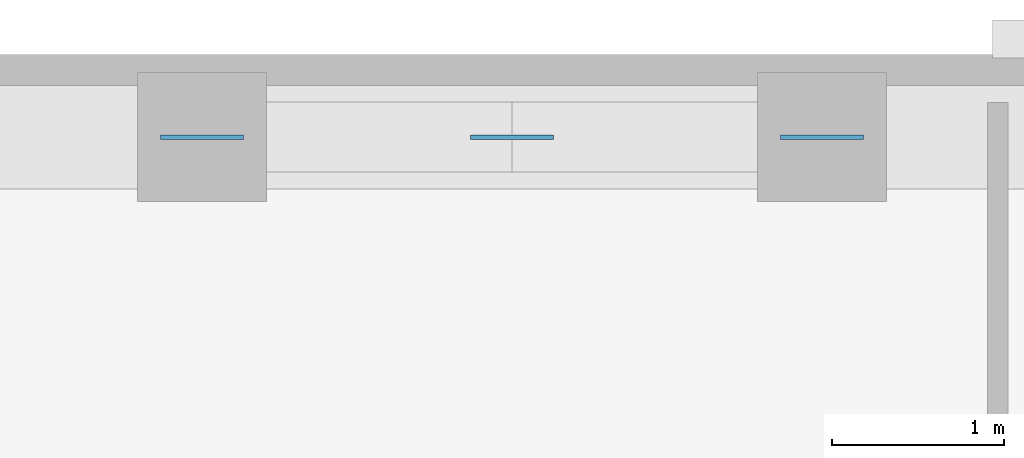
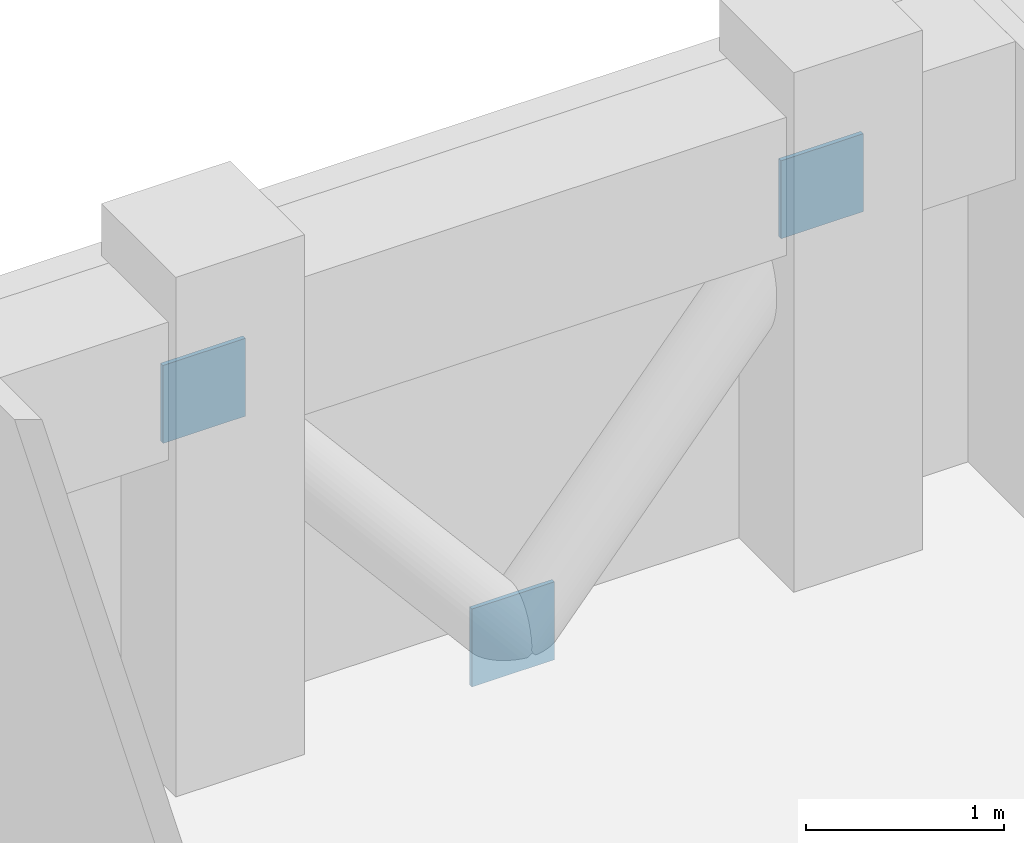
# One storey, part 10 of 12: 3 discrete accessories.
"""IFC4 building model written with IfcOpenShell, lengths in metres."""

from ifc_helpers import new_model, si_unit, derived_unit, direction, frame, origin, origin_2d, place, context, subcontext, project, spatial, rectangle, extrude, material, layer, layer_set, type_object, element, save


model = new_model("IFC4")

# Units and contexts
model_context = context("Model", 3, precision=1e-05, world=origin(), true_north=direction((0.0, 1.0)))
body_context = subcontext(model_context, "Body", "Model", "MODEL_VIEW")
ifc_project = project(units=[si_unit("LENGTHUNIT", "METRE"), si_unit("AREAUNIT", "SQUARE_METRE"), si_unit("VOLUMEUNIT", "CUBIC_METRE"), si_unit("PLANEANGLEUNIT", "RADIAN"), si_unit("MASSUNIT", "GRAM", prefix="KILO"), derived_unit("THERMALTRANSMITTANCEUNIT", [(si_unit("MASSUNIT", "GRAM", prefix="KILO"), 1), (si_unit("TIMEUNIT", "SECOND"), -3), (si_unit("THERMODYNAMICTEMPERATUREUNIT", "KELVIN"), -1)])], contexts=[model_context])

# Site, building, storey
site_placement = place(None, origin())
site = spatial("IfcSite", under=ifc_project, at=site_placement, CompositionType="ELEMENT")
building_placement = place(site_placement, origin())
building = spatial("IfcBuilding", under=site, at=building_placement, Name="Korrvale Station Residences", CompositionType="ELEMENT")
storey_placement = place(building_placement, frame((0.0, 0.0, 116.699951171875)))
storey = spatial("IfcBuildingStorey", under=building, at=storey_placement, Name="L33", CompositionType="ELEMENT", Elevation=116.699951171875)

# Discrete accessories
ifc_material = material(Name="Steel S355", Category="steel")
ifc_layer = layer(ifc_material, 0.02490234375, Name="Steel S355")
ifc_layer_set = layer_set([ifc_layer], Name="Steel S355")
discrete_accessory_type = type_object("IfcDiscreteAccessoryType", Name="ACC-GUSSET-25", PredefinedType="BRACKET", material=ifc_layer_set)
for number, where, z_axis, x_axis, name in (
    (1, (25.0, 42.820068359375, -0.219970703125), (0.0, 0.0, 1.0), (1.0, 0.0, 0.0), "L33 N Brace End Gusset Connection M"),
    (2, (23.199951171875, 42.820068359375, 1.91015625), (0.0, 0.0, 1.0), (1.0, 0.0, 0.0), "L33 N Brace End Gusset Connection A"),
    (3, (26.800048828125, 42.820068359375, 1.91015625), (0.0, 0.0, 1.0), (1.0, 0.0, 0.0), "L33 N Brace End Gusset Connection B"),
):
    element("IfcDiscreteAccessory", number, at=place(storey_placement, frame(where, z_axis=z_axis, x_axis=x_axis)), inside=storey, type_object=discrete_accessory_type, Name=name, PredefinedType="BRACKET", context=body_context, shape_type="SweptSolid", body=[
        extrude(rectangle(XDim=0.47998046875, YDim=0.02490234375, at=origin_2d()), origin(), (0.0, 0.0, 1.0), 0.47998046875),
    ])

save(model, "model.ifc")
